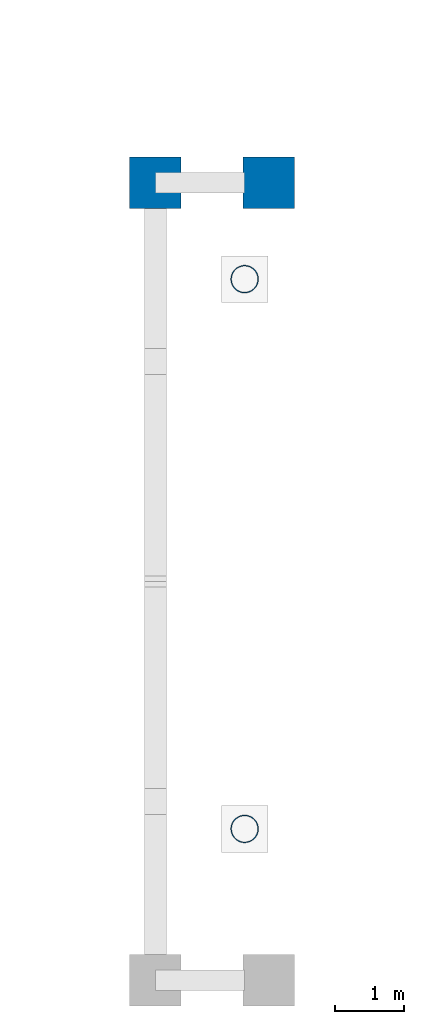
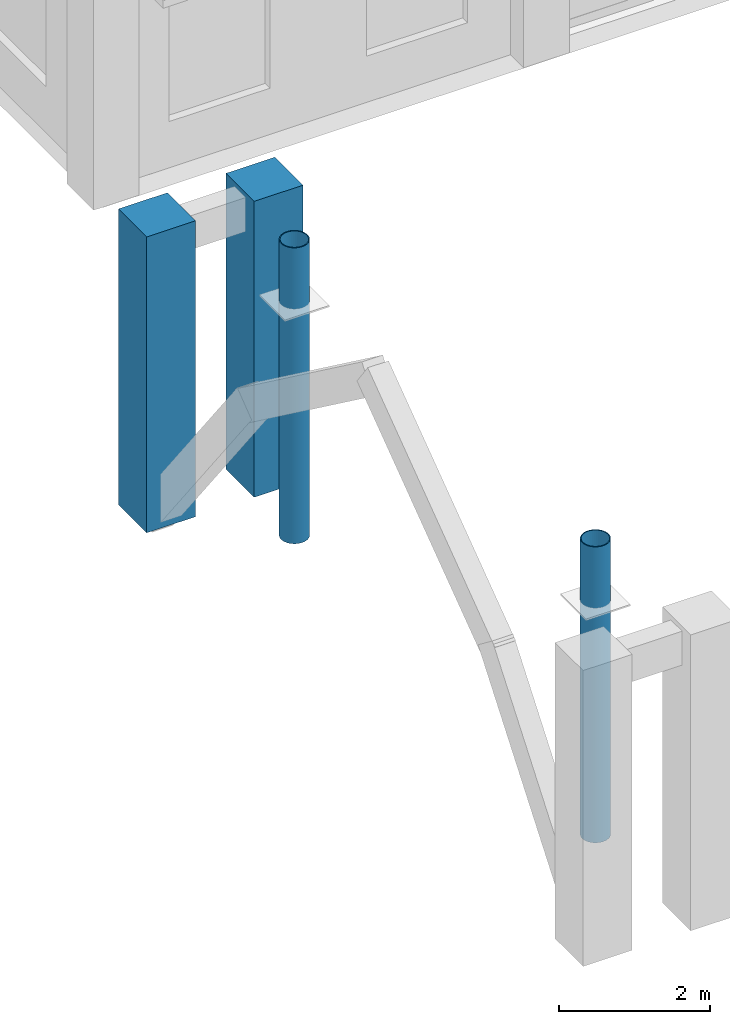
# One storey, part 2 of 75: 4 columns.
"""IFC4 building model written with IfcOpenShell, lengths in metres."""

from ifc_helpers import new_model, si_unit, direction, frame, origin, origin_2d, place, context, subcontext, project, spatial, rectangle, hollow_circle, extrude, material, material_profile, profile_set, type_object, element, save


model = new_model("IFC4")

# Units and contexts
model_context = context("Model", 3, precision=1e-05, world=origin(), true_north=direction((0.0, 1.0)))
body_context = subcontext(model_context, "Body", "Model", "MODEL_VIEW")
ifc_project = project(units=[si_unit("LENGTHUNIT", "METRE"), si_unit("AREAUNIT", "SQUARE_METRE"), si_unit("VOLUMEUNIT", "CUBIC_METRE"), si_unit("PLANEANGLEUNIT", "RADIAN"), si_unit("MASSUNIT", "GRAM", prefix="KILO")], contexts=[model_context])

# Site, building, storey
site_placement = place(None, origin())
site = spatial("IfcSite", under=ifc_project, at=site_placement, CompositionType="ELEMENT")
building_placement = place(site_placement, origin())
building = spatial("IfcBuilding", under=site, at=building_placement, Name="Kolvaren Faculty of Natural Sciences", CompositionType="ELEMENT")
storey_placement = place(building_placement, frame((0.0, 0.0, 5.39990234375)))
storey = spatial("IfcBuildingStorey", under=building, at=storey_placement, Name="L01", CompositionType="ELEMENT", Elevation=5.39990234375)

# Columns
ifc_material_1 = material(Name="Structural steel EN 10210-1 S355J2H (white architectural finish)", Category="steel")
ifc_material_profile_1 = material_profile(ifc_material_1, hollow_circle(Radius=0.203125, WallThickness=0.01416015625, at=origin_2d()), Name="CHS 406.4x14.2")
ifc_profile_set_1 = profile_set([ifc_material_profile_1], Name="Structural steel EN 10210-1 S355J2H (white architectural finish)")
column_type_1 = type_object("IfcColumnType", Name="PortalTreeTrunk_CHS406", PredefinedType="COLUMN", material=ifc_profile_set_1)
for number, where, z_axis, x_axis, name in (
    (1, (38.0, 51.199951171875, 0.0), (0.0, 0.0, 1.0), (1.0, 0.0, 0.0), "Covered street canopy portal column W-S (L01)"),
    (2, (38.0, 59.199951171875, 0.0), (0.0, 0.0, 1.0), (1.0, 0.0, 0.0), "Covered street canopy portal column W-N (L01)"),
):
    element("IfcColumn", number, at=place(storey_placement, frame(where, z_axis=z_axis, x_axis=x_axis)), inside=storey, type_object=column_type_1, Name=name, PredefinedType="COLUMN", context=body_context, shape_type="SweptSolid", body=[
        extrude(hollow_circle(Radius=0.203125, WallThickness=0.01416015625, at=origin_2d()), origin(), (0.0, 0.0, 1.0), 4.800048828125),
    ])
ifc_material_2 = material(Name="Concrete C40/50", Category="concrete")
ifc_material_profile_2 = material_profile(ifc_material_2, rectangle(XDim=0.75, YDim=0.75, at=origin_2d()), Name="RC COL 750x750")
ifc_profile_set_2 = profile_set([ifc_material_profile_2], Name="Concrete C40/50")
column_type_2 = type_object("IfcColumnType", Name="TowerColumn_750x750", PredefinedType="COLUMN", material=ifc_profile_set_2)
for number, where, z_axis, x_axis, name in (
    (3, (36.699951171875, 60.60009765625, 0.0), (0.0, 0.0, 1.0), (1.0, 0.0, 0.0), "West Covered-Street Monumental Gateway Pishtaq monumental pier R (L01)"),
    (4, (38.35009765625, 60.60009765625, 0.0), (0.0, 0.0, 1.0), (1.0, 0.0, 0.0), "West Covered-Street Monumental Gateway Pishtaq monumental pier RB (L01)"),
):
    element("IfcColumn", number, at=place(storey_placement, frame(where, z_axis=z_axis, x_axis=x_axis)), inside=storey, type_object=column_type_2, Name=name, PredefinedType="COLUMN", context=body_context, shape_type="SweptSolid", body=[
        extrude(rectangle(XDim=0.75, YDim=0.75, at=origin_2d()), origin(), (0.0, 0.0, 1.0), 4.800048828125),
    ])

save(model, "model.ifc")
